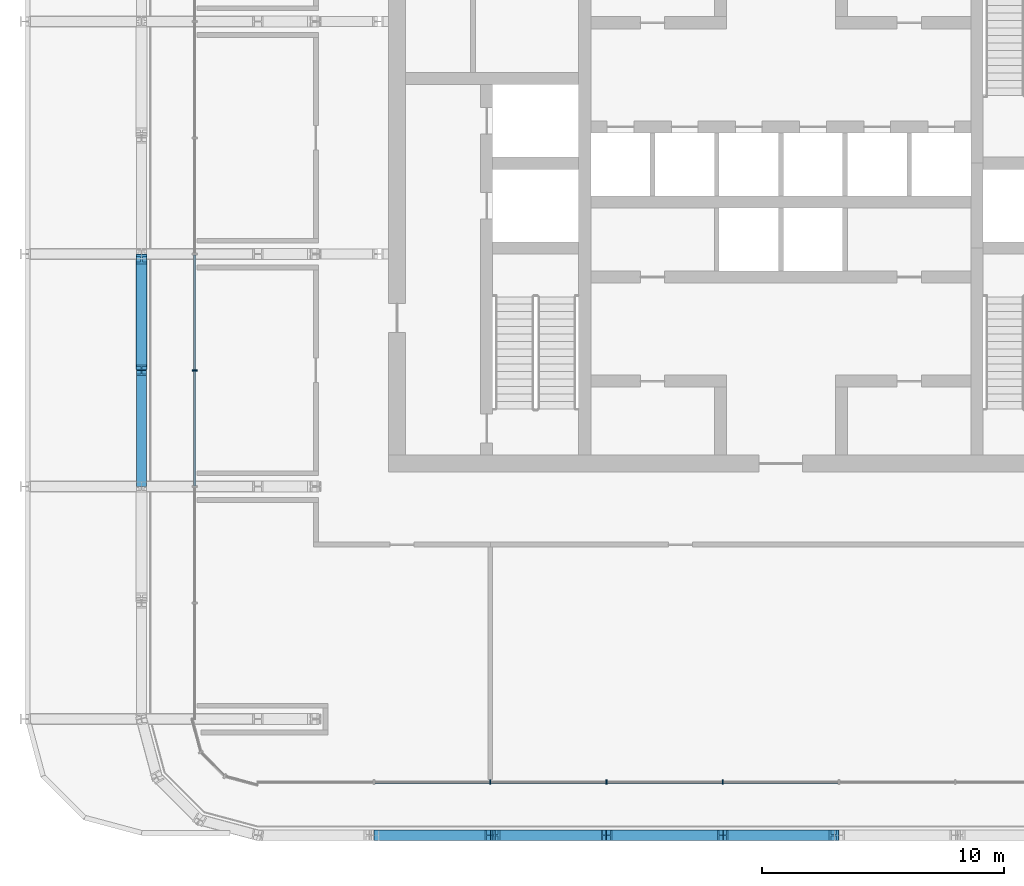
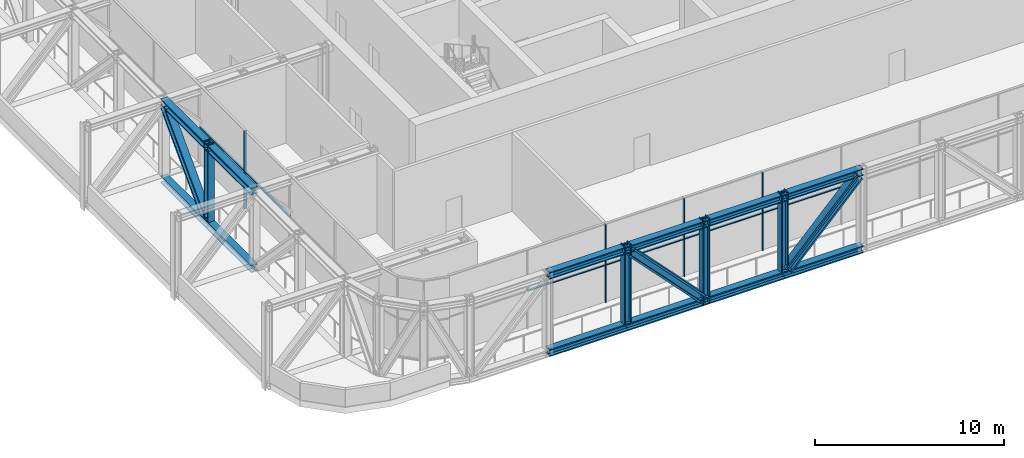
# One storey, part 2 of 30: 29 members, 2 elements without a shape of their own.
"""IFC4 building model written with IfcOpenShell, lengths in metres."""

import ifcopenshell
import ifcopenshell.guid

model = None  # the IFC model being written
_history = None  # IfcOwnerHistory: only IFC2X3 demands one
_inside = {}  # id of a spatial element -> (the spatial element, [elements in it])
_under = {}  # id of a project, library or spatial element -> (it, [spatial elements below it])
_declared = {}  # id of a project -> (the project, [libraries it declares])
_typed = {}  # id of a type object -> (the type object, [elements of that type])
_made_of = {}  # id of a material, layer set ... -> (it, [elements and type objects made of it])


def new_model(schema):
    """Start an empty IFC model of exactly this schema.

    Asked for "IFC4X3", IfcOpenShell would pick the latest addendum, in which some entities
    have other attributes; the version numbers below select the first issue.
    IFC2X3 requires an IfcOwnerHistory on every rooted entity: one is made here for all.
    """
    global model, _history
    if schema == "IFC4X3":
        model = ifcopenshell.file(schema_version=(4, 3, 0, 0))
    else:
        model = ifcopenshell.file(schema=schema)
    _inside.clear()
    _under.clear()
    _declared.clear()
    _typed.clear()
    _made_of.clear()
    _history = None
    if model.schema == "IFC2X3":
        org = make("IfcOrganization", Name="unknown")
        user = make(
            "IfcPersonAndOrganization",
            ThePerson=make("IfcPerson", FamilyName="unknown"),
            TheOrganization=org,
        )
        app = make(
            "IfcApplication",
            ApplicationDeveloper=org,
            Version="unknown",
            ApplicationFullName="unknown",
            ApplicationIdentifier="unknown",
        )
        _history = make(
            "IfcOwnerHistory",
            OwningUser=user,
            OwningApplication=app,
            ChangeAction="ADDED",
            CreationDate=0,
        )
    return model


def make(cls, **values):
    """One entity of the class cls with the attributes given. An attribute that is None is left unset."""
    return model.create_entity(
        cls, **{name: value for name, value in values.items() if value is not None}
    )


def rooted(cls, **values):
    """An entity with a GlobalId (a new one), such as an element, a storey or a relation."""
    return make(cls, GlobalId=ifcopenshell.guid.new(), OwnerHistory=_history, **values)


def si_unit(unit_type, name, prefix=None):
    """IfcSIUnit, for example si_unit("LENGTHUNIT", "METRE", prefix="MILLI")."""
    return make("IfcSIUnit", UnitType=unit_type, Prefix=prefix, Name=name)


def assignment(units):
    """IfcUnitAssignment: the units of a project."""
    return None if units is None else make("IfcUnitAssignment", Units=units)


def point(xyz):
    """IfcCartesianPoint."""
    return None if xyz is None else make("IfcCartesianPoint", Coordinates=xyz)


def direction(xyz):
    """IfcDirection."""
    return None if xyz is None else make("IfcDirection", DirectionRatios=xyz)


def frame(location, z_axis=None, x_axis=None):
    """IfcAxis2Placement3D, a coordinate frame: its origin and axes. An axis left out is left unset."""
    return make(
        "IfcAxis2Placement3D",
        Location=point(location),
        Axis=direction(z_axis),
        RefDirection=direction(x_axis),
    )


def frame_2d(location, x_axis=None):
    """IfcAxis2Placement2D, a coordinate frame in the plane: its origin and x axis."""
    return make(
        "IfcAxis2Placement2D", Location=point(location), RefDirection=direction(x_axis)
    )


def origin():
    """The frame at (0, 0, 0) with its axes left unset."""
    return frame((0.0, 0.0, 0.0))


def origin_2d():
    """The frame at (0, 0) in the plane with its x axis left unset."""
    return frame_2d((0.0, 0.0))


def place(relative_to, where):
    """IfcLocalPlacement: puts the frame where relative to a parent placement (None: the world)."""
    return make(
        "IfcLocalPlacement", PlacementRelTo=relative_to, RelativePlacement=where
    )


def context(
    kind, dimensions, precision=None, world=None, true_north=None, identifier=None
):
    """IfcGeometricRepresentationContext, for example the 3D "Model" context."""
    return make(
        "IfcGeometricRepresentationContext",
        ContextIdentifier=identifier,
        ContextType=kind,
        CoordinateSpaceDimension=dimensions,
        Precision=precision,
        WorldCoordinateSystem=world,
        TrueNorth=true_north,
    )


def subcontext(parent, identifier, kind, view, scale=None):
    """IfcGeometricRepresentationSubContext, for example "Body" below "Model"."""
    return make(
        "IfcGeometricRepresentationSubContext",
        ContextIdentifier=identifier,
        ContextType=kind,
        ParentContext=parent,
        TargetScale=scale,
        TargetView=view,
    )


def project(units=None, contexts=None):
    """IfcProject with its units and contexts."""
    return rooted(
        "IfcProject",
        Name="project",
        RepresentationContexts=contexts,
        UnitsInContext=assignment(units),
    )


def spatial(cls, under=None, at=None, **own):
    """A site, building, storey or space (cls), placed at a placement, below another one or the project."""
    s = rooted(cls, ObjectPlacement=at, **own)
    if under is not None:
        _under.setdefault(under.id(), (under, []))[1].append(s)
    return s


def profile(cls, at=None, kind="AREA", **sizes):
    """A parametric profile (cls). Its sizes go by their IFC names, for example OverallWidth=200.0."""
    return make(cls, ProfileType=kind, Position=at, **sizes)


def rectangle(**sizes):
    """IfcRectangleProfileDef."""
    return profile("IfcRectangleProfileDef", **sizes)


def i_section(**sizes):
    """IfcIShapeProfileDef."""
    return profile("IfcIShapeProfileDef", **sizes)


def extrude(swept, where, along, depth):
    """IfcExtrudedAreaSolid: the profile swept, set in the frame where, extruded along a direction by depth."""
    return make(
        "IfcExtrudedAreaSolid",
        SweptArea=swept,
        Position=where,
        ExtrudedDirection=direction(along),
        Depth=depth,
    )


def shape(context_of_items, identifier, shape_type, items):
    """IfcShapeRepresentation: the items that make up one representation, for example the "Body"."""
    return make(
        "IfcShapeRepresentation",
        ContextOfItems=context_of_items,
        RepresentationIdentifier=identifier,
        RepresentationType=shape_type,
        Items=items,
    )


def material(Name=None, Category=None):
    """IfcMaterial."""
    return make("IfcMaterial", Name=Name, Category=Category)


def layer(
    of_material, thickness, ventilated=None, Name=None, Category=None, Priority=None
):
    """IfcMaterialLayer: one layer of a wall or slab, of a material (None: an air gap)."""
    return make(
        "IfcMaterialLayer",
        Material=of_material,
        LayerThickness=thickness,
        IsVentilated=ventilated,
        Name=Name,
        Category=Category,
        Priority=Priority,
    )


def layer_set(layers, Name=None):
    """IfcMaterialLayerSet."""
    return make("IfcMaterialLayerSet", MaterialLayers=layers, LayerSetName=Name)


def material_profile(
    of_material, cross_section, Name=None, Category=None, Priority=None
):
    """IfcMaterialProfile: a cross section and its material."""
    return make(
        "IfcMaterialProfile",
        Name=Name,
        Material=of_material,
        Profile=cross_section,
        Priority=Priority,
        Category=Category,
    )


def profile_set(profiles, Name=None, composite=None):
    """IfcMaterialProfileSet."""
    return make(
        "IfcMaterialProfileSet",
        Name=Name,
        MaterialProfiles=profiles,
        CompositeProfile=composite,
    )


def made_of(thing, what):
    """Note that an element or type object is made of a material, layer set ...; save() writes the relation."""
    if what is not None:
        _made_of.setdefault(what.id(), (what, []))[1].append(thing)
    return thing


def type_object(cls, material=None, **own):
    """A type object (cls), such as IfcWallType, which elements share."""
    return made_of(rooted(cls, **own), material)


def element(
    cls,
    number,
    at=None,
    inside=None,
    cuts=None,
    type_object=None,
    material=None,
    context=None,
    identifier="Body",
    shape_type=None,
    held_by="IfcProductDefinitionShape",
    body=None,
    shapes=None,
    **own,
):
    """One element of the class cls, such as IfcWall. Its Tag is "e" and its number.

    at: its placement. inside: the storey or other place that contains it. cuts: it is an
    opening in that element (IfcRelVoidsElement). A single representation is given by context,
    identifier, shape_type and body (its items); several are given by shapes. held_by: the class
    of the entity that holds the representations. save() writes the other relations.
    """
    e = rooted(cls, Tag="e%d" % number, ObjectPlacement=at, **own)
    if body is not None:
        shapes = [shape(context, identifier, shape_type, body)]
    if shapes is not None:
        e.Representation = make(held_by, Representations=shapes)
    if inside is not None:
        _inside.setdefault(inside.id(), (inside, []))[1].append(e)
    if cuts is not None:
        rooted(
            "IfcRelVoidsElement", RelatingBuildingElement=cuts, RelatedOpeningElement=e
        )
    if type_object is not None:
        _typed.setdefault(type_object.id(), (type_object, []))[1].append(e)
    return made_of(e, material)


def aggregate(whole, parts):
    """IfcRelAggregates: a whole, such as a stair, and the parts it consists of."""
    return rooted("IfcRelAggregates", RelatingObject=whole, RelatedObjects=parts)


def save(model, path):
    """Write the relations noted so far, then the file.

    IfcRelAggregates (storeys below a building ...), IfcRelContainedInSpatialStructure (elements
    in a storey), IfcRelDefinesByType, IfcRelAssociatesMaterial and IfcRelDeclares: one each for
    every whole, place, type object, material and project.
    """
    for whole, parts in _under.values():
        aggregate(whole, parts)
    for where, things in _inside.values():
        rooted(
            "IfcRelContainedInSpatialStructure",
            RelatedElements=things,
            RelatingStructure=where,
        )
    for kind, things in _typed.values():
        rooted("IfcRelDefinesByType", RelatedObjects=things, RelatingType=kind)
    for what, things in _made_of.values():
        rooted("IfcRelAssociatesMaterial", RelatedObjects=things, RelatingMaterial=what)
    for by, libraries in _declared.values():
        rooted("IfcRelDeclares", RelatingContext=by, RelatedDefinitions=libraries)
    model.write(path)


model = new_model("IFC4")

# Units and contexts
model_context = context("Model", 3, precision=1e-05, world=origin(), true_north=direction((0.0, 1.0)))
body_context = subcontext(model_context, "Body", "Model", "MODEL_VIEW")
ifc_project = project(units=[si_unit("LENGTHUNIT", "METRE"), si_unit("AREAUNIT", "SQUARE_METRE"), si_unit("VOLUMEUNIT", "CUBIC_METRE"), si_unit("PLANEANGLEUNIT", "RADIAN"), si_unit("MASSUNIT", "GRAM", prefix="KILO")], contexts=[model_context])

# Site, building, storey
site_placement = place(None, origin())
site = spatial("IfcSite", under=ifc_project, at=site_placement, CompositionType="ELEMENT")
building_placement = place(site_placement, origin())
building = spatial("IfcBuilding", under=site, at=building_placement, Name="Madar Terraces", CompositionType="ELEMENT")
storey_placement = place(building_placement, frame((0.0, 0.0, 173.5)))
storey = spatial("IfcBuildingStorey", under=building, at=storey_placement, Name="L45", CompositionType="ELEMENT", Elevation=173.5)

# Members
ifc_material_1 = material(Name="Steel ASTM A913 Grade 65", Category="steel")
ifc_material_profile_1 = material_profile(ifc_material_1, i_section(OverallWidth=0.421630859375, OverallDepth=0.46484375, WebThickness=0.044921875, FlangeThickness=0.072509765625, at=origin_2d()), Name="W14x398")
ifc_profile_set_1 = profile_set([ifc_material_profile_1], Name="Steel ASTM A913 Grade 65")
member_type_1 = type_object("IfcMemberType", Name="BC6 W14x398", PredefinedType="CHORD", material=ifc_profile_set_1)
for number, where, z_axis, x_axis, name in (
    (1, (14.39990234375, 0.0, -0.1875), (1.0, 0.0, 0.0), (0.0, 1.0, 0.0), "Exoskeleton truss ring bottom chord BC6"),
    (2, (19.199951171875, 0.0, -0.1875), (1.0, 0.0, 0.0), (0.0, 1.0, 0.0), "Exoskeleton truss ring bottom chord BC6"),
    (3, (24.0, 0.0, -0.1875), (1.0, 0.0, 0.0), (0.0, 1.0, 0.0), "Exoskeleton truss ring bottom chord BC6"),
    (4, (28.800048828125, 0.0, -0.1875), (1.0, 0.0, 0.0), (0.0, 1.0, 0.0), "Exoskeleton truss ring bottom chord BC6"),
    (5, (4.800048828125, 24.0, -0.1875), (0.0, -1.0, 0.0), (1.0, 0.0, 0.0), "Exoskeleton truss ring bottom chord BC6"),
    (6, (4.800048828125, 19.199951171875, -0.1875), (0.0, -1.0, 0.0), (1.0, 0.0, 0.0), "Exoskeleton truss ring bottom chord BC6"),
):
    element("IfcMember", number, at=place(storey_placement, frame(where, z_axis=z_axis, x_axis=x_axis)), inside=storey, type_object=member_type_1, Name=name, PredefinedType="CHORD", context=body_context, shape_type="SweptSolid", body=[
        extrude(i_section(OverallWidth=0.421630859375, OverallDepth=0.46484375, WebThickness=0.044921875, FlangeThickness=0.072509765625, at=origin_2d()), origin(), (0.0, 0.0, 1.0), 4.800048828125),
    ])

# Curtain wall, members
ifc_material_2 = material(Name="Glass, ceramic frit dark grey, with black aluminium frame", Category="aluminium")
ifc_layer = layer(ifc_material_2, 0.199951171875)
ifc_layer_set = layer_set([ifc_layer], Name="Facade curtain wall, tall glazing")
curtain_wall_type = type_object("IfcCurtainWallType", Name="Facade curtain wall, tall glazing", PredefinedType="NOTDEFINED", material=ifc_layer_set)
curtain_wall_1_placement = place(storey_placement, origin())
curtain_wall_1 = element("IfcCurtainWall", 7, at=curtain_wall_1_placement, inside=storey, type_object=curtain_wall_type, Name="Outer skin curtain wall south bay 1", PredefinedType="NOTDEFINED")
ifc_material_3 = material(Name="Aluminium, black anodised", Category="aluminium")
ifc_material_profile_2 = material_profile(ifc_material_3, rectangle(XDim=0.199951171875, YDim=0.06005859375, at=origin_2d()), Name="Facade mullion 60x200")
ifc_profile_set_2 = profile_set([ifc_material_profile_2], Name="Aluminium, black anodised")
member_type_2 = type_object("IfcMemberType", Name="Facade mullion 60x200", PredefinedType="MULLION", material=ifc_profile_set_2)
member_1_placement = place(storey_placement, frame((19.199951171875, 2.199951171875, 0.0), z_axis=(0.0, 0.0, 1.0), x_axis=(0.0, 1.0, 0.0)))
member_1 = element("IfcMember", 8, at=member_1_placement, type_object=member_type_2, Name="Mullion 2", PredefinedType="MULLION", context=body_context, shape_type="SweptSolid", body=[
    extrude(rectangle(XDim=0.199951171875, YDim=0.06005859375, at=origin_2d()), origin(), (0.0, 0.0, 1.0), 5.0400390625),
])
member_2_placement = place(storey_placement, frame((24.0, 2.199951171875, 0.0), z_axis=(0.0, 0.0, 1.0), x_axis=(0.0, 1.0, 0.0)))
member_2 = element("IfcMember", 9, at=member_2_placement, type_object=member_type_2, Name="Mullion 3", PredefinedType="MULLION", context=body_context, shape_type="SweptSolid", body=[
    extrude(rectangle(XDim=0.199951171875, YDim=0.06005859375, at=origin_2d()), origin(), (0.0, 0.0, 1.0), 5.0400390625),
])
member_3_placement = place(storey_placement, frame((28.800048828125, 2.199951171875, 0.0), z_axis=(0.0, 0.0, 1.0), x_axis=(0.0, 1.0, 0.0)))
member_3 = element("IfcMember", 10, at=member_3_placement, type_object=member_type_2, Name="Mullion 4", PredefinedType="MULLION", context=body_context, shape_type="SweptSolid", body=[
    extrude(rectangle(XDim=0.199951171875, YDim=0.06005859375, at=origin_2d()), origin(), (0.0, 0.0, 1.0), 5.0400390625),
])

# Curtain wall, member
curtain_wall_2_placement = place(storey_placement, origin())
curtain_wall_2 = element("IfcCurtainWall", 11, at=curtain_wall_2_placement, inside=storey, type_object=curtain_wall_type, Name="Outer skin curtain wall west bay 1", PredefinedType="NOTDEFINED")
member_4_placement = place(storey_placement, frame((7.0, 19.199951171875, 0.0), z_axis=(0.0, 0.0, 1.0), x_axis=(1.0, 0.0, 0.0)))
member_4 = element("IfcMember", 12, at=member_4_placement, type_object=member_type_2, Name="Mullion 5", PredefinedType="MULLION", context=body_context, shape_type="SweptSolid", body=[
    extrude(rectangle(XDim=0.199951171875, YDim=0.06005859375, at=origin_2d()), origin(), (0.0, 0.0, 1.0), 5.0400390625),
])

# Member
ifc_material_4 = material(Name="Aluminium, black anodised", Category="aluminium")
ifc_material_profile_3 = material_profile(ifc_material_4, rectangle(XDim=0.1201171875, YDim=0.06005859375, at=origin_2d()), Name="Facade transom 60x120")
ifc_profile_set_3 = profile_set([ifc_material_profile_3], Name="Aluminium, black anodised")
member_type_3 = type_object("IfcMemberType", Name="Facade transom 60x120", PredefinedType="USERDEFINED", material=ifc_profile_set_3)
member_5_placement = place(storey_placement, frame((14.429931640625, 2.199951171875, 2.39990234375), z_axis=(1.0, 0.0, 0.0), x_axis=(0.0, 1.0, 0.0)))
member_5 = element("IfcMember", 13, at=member_5_placement, type_object=member_type_3, Name="Transom 3", ObjectType="TRANSOM", PredefinedType="USERDEFINED", context=body_context, shape_type="SweptSolid", body=[
    extrude(rectangle(XDim=0.1201171875, YDim=0.06005859375, at=origin_2d()), origin(), (0.0, 0.0, 1.0), 4.739990234375),
])

member_6_placement = place(storey_placement, frame((19.22998046875, 2.199951171875, 2.39990234375), z_axis=(1.0, 0.0, 0.0), x_axis=(0.0, 1.0, 0.0)))
member_6 = element("IfcMember", 14, at=member_6_placement, type_object=member_type_3, Name="Transom 4", ObjectType="TRANSOM", PredefinedType="USERDEFINED", context=body_context, shape_type="SweptSolid", body=[
    extrude(rectangle(XDim=0.1201171875, YDim=0.06005859375, at=origin_2d()), origin(), (0.0, 0.0, 1.0), 4.739990234375),
])

member_7_placement = place(storey_placement, frame((24.030029296875, 2.199951171875, 2.39990234375), z_axis=(1.0, 0.0, 0.0), x_axis=(0.0, 1.0, 0.0)))
member_7 = element("IfcMember", 15, at=member_7_placement, type_object=member_type_3, Name="Transom 5", ObjectType="TRANSOM", PredefinedType="USERDEFINED", context=body_context, shape_type="SweptSolid", body=[
    extrude(rectangle(XDim=0.1201171875, YDim=0.06005859375, at=origin_2d()), origin(), (0.0, 0.0, 1.0), 4.739990234375),
])

member_8_placement = place(storey_placement, frame((28.830078125, 2.199951171875, 2.39990234375), z_axis=(1.0, 0.0, 0.0), x_axis=(0.0, 1.0, 0.0)))
member_8 = element("IfcMember", 16, at=member_8_placement, type_object=member_type_3, Name="Transom 6", ObjectType="TRANSOM", PredefinedType="USERDEFINED", context=body_context, shape_type="SweptSolid", body=[
    extrude(rectangle(XDim=0.1201171875, YDim=0.06005859375, at=origin_2d()), origin(), (0.0, 0.0, 1.0), 4.739990234375),
])

aggregate(curtain_wall_1, [member_1, member_2, member_3, member_5, member_6, member_7, member_8])

member_9_placement = place(storey_placement, frame((7.0, 23.969970703125, 2.39990234375), z_axis=(0.0, -1.0, 0.0), x_axis=(1.0, 0.0, 0.0)))
member_9 = element("IfcMember", 17, at=member_9_placement, type_object=member_type_3, Name="Transom 6", ObjectType="TRANSOM", PredefinedType="USERDEFINED", context=body_context, shape_type="SweptSolid", body=[
    extrude(rectangle(XDim=0.1201171875, YDim=0.06005859375, at=origin_2d()), origin(), (0.0, 0.0, 1.0), 4.739990234375),
])

member_10_placement = place(storey_placement, frame((7.0, 19.169921875, 2.39990234375), z_axis=(0.0, -1.0, 0.0), x_axis=(1.0, 0.0, 0.0)))
member_10 = element("IfcMember", 18, at=member_10_placement, type_object=member_type_3, Name="Transom 7", ObjectType="TRANSOM", PredefinedType="USERDEFINED", context=body_context, shape_type="SweptSolid", body=[
    extrude(rectangle(XDim=0.1201171875, YDim=0.06005859375, at=origin_2d()), origin(), (0.0, 0.0, 1.0), 4.739990234375),
])

aggregate(curtain_wall_2, [member_4, member_9, member_10])

# Members
ifc_material_5 = material(Name="Steel ASTM A913 Grade 65", Category="steel")
ifc_material_profile_4 = material_profile(ifc_material_5, i_section(OverallWidth=0.41650390625, OverallDepth=0.444580078125, WebThickness=0.0390625, FlangeThickness=0.062744140625, at=origin_2d()), Name="W14x342")
ifc_profile_set_4 = profile_set([ifc_material_profile_4], Name="Steel ASTM A913 Grade 65")
member_type_4 = type_object("IfcMemberType", Name="TC6 W14x342", PredefinedType="CHORD", material=ifc_profile_set_4)
for number, where, z_axis, x_axis, name in (
    (19, (14.39990234375, 0.0, 4.807861328125), (1.0, 0.0, 0.0), (0.0, 1.0, 0.0), "Exoskeleton truss ring top chord TC6"),
    (20, (19.199951171875, 0.0, 4.807861328125), (1.0, 0.0, 0.0), (0.0, 1.0, 0.0), "Exoskeleton truss ring top chord TC6"),
    (21, (24.0, 0.0, 4.807861328125), (1.0, 0.0, 0.0), (0.0, 1.0, 0.0), "Exoskeleton truss ring top chord TC6"),
    (22, (28.800048828125, 0.0, 4.807861328125), (1.0, 0.0, 0.0), (0.0, 1.0, 0.0), "Exoskeleton truss ring top chord TC6"),
    (23, (4.800048828125, 24.0, 4.807861328125), (0.0, -1.0, 0.0), (1.0, 0.0, 0.0), "Exoskeleton truss ring top chord TC6"),
    (24, (4.800048828125, 19.199951171875, 4.807861328125), (0.0, -1.0, 0.0), (1.0, 0.0, 0.0), "Exoskeleton truss ring top chord TC6"),
):
    element("IfcMember", number, at=place(storey_placement, frame(where, z_axis=z_axis, x_axis=x_axis)), inside=storey, type_object=member_type_4, Name=name, PredefinedType="CHORD", context=body_context, shape_type="SweptSolid", body=[
        extrude(i_section(OverallWidth=0.41650390625, OverallDepth=0.444580078125, WebThickness=0.0390625, FlangeThickness=0.062744140625, at=origin_2d()), origin(), (0.0, 0.0, 1.0), 4.800048828125),
    ])
ifc_material_6 = material(Name="Steel ASTM A913 Grade 65", Category="steel")
ifc_material_profile_5 = material_profile(ifc_material_6, i_section(OverallWidth=0.44189453125, OverallDepth=0.53076171875, WebThickness=0.06591796875, FlangeThickness=0.105712890625, at=origin_2d()), Name="W14x605")
ifc_profile_set_5 = profile_set([ifc_material_profile_5], Name="Steel ASTM A913 Grade 65")
member_type_5 = type_object("IfcMemberType", Name="TD6 W14x605", PredefinedType="BRACE", material=ifc_profile_set_5)
for number, where, z_axis, x_axis, name in (
    (25, (19.41357421875, 0.0, 4.58544921875), (0.692873133915, 0.0, -0.721059512314), (0.0, 1.0, 0.0), "Exoskeleton truss ring diagonal TD6"),
    (26, (29.0234375, 0.0, 0.044921875), (0.692873133915, 0.0, 0.721059512314), (0.0, 1.0, 0.0), "Exoskeleton truss ring diagonal TD6"),
    (27, (4.800048828125, 23.786376953125, 4.58544921875), (0.0, -0.692873133915, -0.721059512314), (1.0, 0.0, 0.0), "Exoskeleton truss ring diagonal TD6"),
):
    element("IfcMember", number, at=place(storey_placement, frame(where, z_axis=z_axis, x_axis=x_axis)), inside=storey, type_object=member_type_5, Name=name, PredefinedType="BRACE", context=body_context, shape_type="SweptSolid", body=[
        extrude(i_section(OverallWidth=0.44189453125, OverallDepth=0.53076171875, WebThickness=0.06591796875, FlangeThickness=0.105712890625, at=origin_2d()), origin(), (0.0, 0.0, 1.0), 6.297119140625),
    ])
ifc_material_7 = material(Name="Steel ASTM A913 Grade 65", Category="steel")
ifc_material_profile_6 = material_profile(ifc_material_7, i_section(OverallWidth=0.411376953125, OverallDepth=0.434326171875, WebThickness=0.035888671875, FlangeThickness=0.057373046875, at=origin_2d()), Name="W14x311")
ifc_profile_set_6 = profile_set([ifc_material_profile_6], Name="Steel ASTM A913 Grade 65")
member_type_6 = type_object("IfcMemberType", Name="TV6 W14x311", PredefinedType="POST", material=ifc_profile_set_6)
member_11_placement = place(storey_placement, frame((19.199951171875, 0.0, 0.044921875), z_axis=(0.0, 0.0, 1.0), x_axis=(0.0, 1.0, 0.0)))
element("IfcMember", 28, at=member_11_placement, inside=storey, type_object=member_type_6, Name="Exoskeleton truss ring post TV6", PredefinedType="POST", context=body_context, shape_type="SweptSolid", body=[
    extrude(i_section(OverallWidth=0.411376953125, OverallDepth=0.434326171875, WebThickness=0.035888671875, FlangeThickness=0.057373046875, at=origin_2d()), origin(), (0.0, 0.0, 1.0), 5.05517578125),
])
member_12_placement = place(storey_placement, frame((24.0, 0.0, -0.419921875), z_axis=(0.0, 0.0, 1.0), x_axis=(0.0, 1.0, 0.0)))
element("IfcMember", 29, at=member_12_placement, inside=storey, type_object=member_type_6, Name="Exoskeleton truss ring post TV6", PredefinedType="POST", context=body_context, shape_type="SweptSolid", body=[
    extrude(i_section(OverallWidth=0.411376953125, OverallDepth=0.434326171875, WebThickness=0.035888671875, FlangeThickness=0.057373046875, at=origin_2d()), origin(), (0.0, 0.0, 1.0), 5.52001953125),
])
for number, where, z_axis, x_axis, name in (
    (30, (28.800048828125, 0.0, 0.044921875), (0.0, 0.0, 1.0), (0.0, 1.0, 0.0), "Exoskeleton truss ring post TV6"),
    (31, (4.800048828125, 19.199951171875, 0.044921875), (0.0, 0.0, 1.0), (1.0, 0.0, 0.0), "Exoskeleton truss ring post TV6"),
):
    element("IfcMember", number, at=place(storey_placement, frame(where, z_axis=z_axis, x_axis=x_axis)), inside=storey, type_object=member_type_6, Name=name, PredefinedType="POST", context=body_context, shape_type="SweptSolid", body=[
        extrude(i_section(OverallWidth=0.411376953125, OverallDepth=0.434326171875, WebThickness=0.035888671875, FlangeThickness=0.057373046875, at=origin_2d()), origin(), (0.0, 0.0, 1.0), 5.05517578125),
    ])

save(model, "model.ifc")
